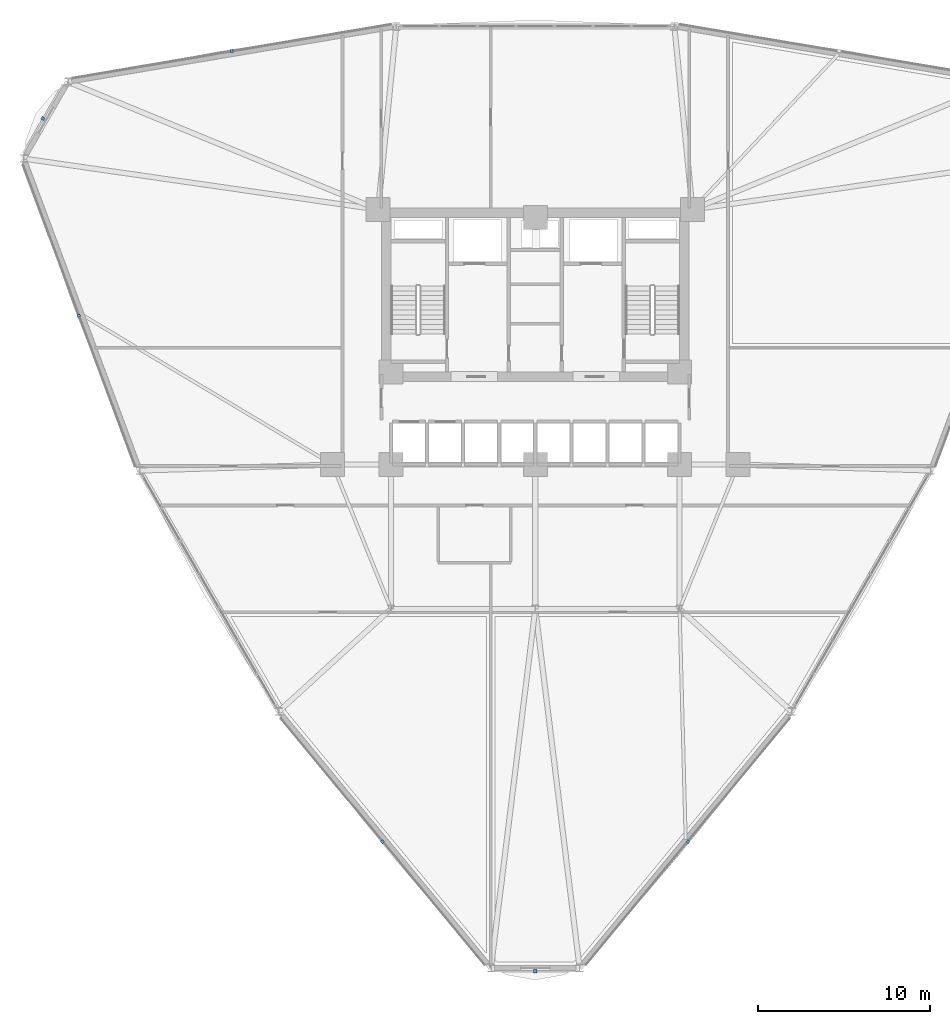
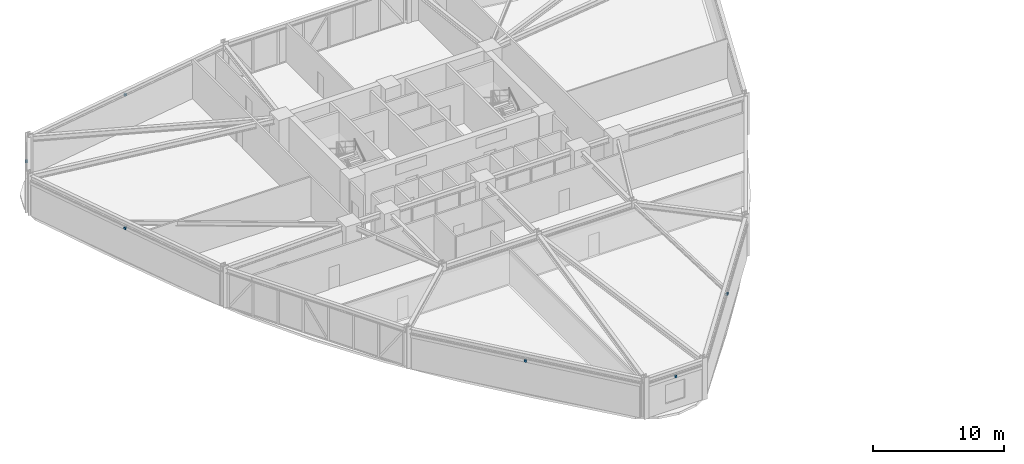
# One storey, part 19 of 23: 6 discrete accessories.
"""IFC4 building model written with IfcOpenShell, lengths in metres."""

from ifc_helpers import new_model, si_unit, derived_unit, direction, frame, origin, origin_2d, place, context, subcontext, project, spatial, rectangle, extrude, source, transform, mapped, material, type_object, element, save


model = new_model("IFC4")

# Units and contexts
model_context = context("Model", 3, precision=1e-05, world=origin(), true_north=direction((0.0, 1.0)))
body_context = subcontext(model_context, "Body", "Model", "MODEL_VIEW")
ifc_project = project(units=[si_unit("LENGTHUNIT", "METRE"), si_unit("AREAUNIT", "SQUARE_METRE"), si_unit("VOLUMEUNIT", "CUBIC_METRE"), si_unit("PLANEANGLEUNIT", "RADIAN"), si_unit("MASSUNIT", "GRAM", prefix="KILO"), derived_unit("THERMALTRANSMITTANCEUNIT", [(si_unit("POWERUNIT", "WATT"), 1), (si_unit("LENGTHUNIT", "METRE"), -2), (si_unit("THERMODYNAMICTEMPERATUREUNIT", "KELVIN"), -1)])], contexts=[model_context])

# Site, building, storey
site_placement = place(None, origin())
site = spatial("IfcSite", under=ifc_project, at=site_placement, CompositionType="ELEMENT")
building_placement = place(site_placement, origin())
building = spatial("IfcBuilding", under=site, at=building_placement, Name="Korsvarv Bourse and Concert Hall", CompositionType="ELEMENT")
storey_placement = place(building_placement, frame((0.0, 0.0, 24.0)))
storey = spatial("IfcBuildingStorey", under=building, at=storey_placement, Name="L05", CompositionType="ELEMENT", Elevation=24.0)

# Discrete accessories
ifc_material = material(Name="Stainless Steel S355 facade outrigger bracket", Category="steel")
discrete_accessory_type = type_object("IfcDiscreteAccessoryType", Name="ACC-BRK-1", PredefinedType="BRACKET", material=ifc_material)
shared_shape = source(origin(), body_context, "Body", "SweptSolid", [
    extrude(rectangle(XDim=0.179931640625, YDim=0.179931640625, at=origin_2d()), origin(), (0.0, 0.0, 1.0), 0.199951171875),
])
for number, where, z_axis, x_axis, name in (
    (1, (18.31787109375, 56.480712890625, 2.97021484375), (0.0, 0.0, 1.0), (-0.98602512869, -0.166596655404, 0.0), "L05 terracotta sunshade bracket EW-L05-B04"),
    (2, (7.337890625, 52.548095703125, 2.97021484375), (0.0, 0.0, 1.0), (-0.5, -0.866025403784, 0.0), "L05 terracotta sunshade bracket EW-L05-B05"),
    (3, (9.42236328125, 41.072998046875, 2.97021484375), (0.0, 0.0, 1.0), (0.348735628579, -0.937221137918, 0.0), "L05 terracotta sunshade bracket EW-L05-B06"),
    (4, (27.104248046875, 10.446533203125, 2.97021484375), (0.0, 0.0, 1.0), (0.637289500111, -0.770624482513, 0.0), "L05 terracotta sunshade bracket EW-L05-B08"),
    (5, (36.0, 2.90380859375, 2.97021484375), (0.0, 0.0, 1.0), (1.0, 0.0, 0.0), "L05 terracotta sunshade bracket EW-L05-B09"),
    (6, (44.895751953125, 10.446533203125, 2.97021484375), (0.0, 0.0, 1.0), (0.637289500111, 0.770624482513, 0.0), "L05 terracotta sunshade bracket EW-L05-B10"),
):
    element("IfcDiscreteAccessory", number, at=place(storey_placement, frame(where, z_axis=z_axis, x_axis=x_axis)), inside=storey, type_object=discrete_accessory_type, Name=name, PredefinedType="BRACKET", context=body_context, shape_type="MappedRepresentation", body=[
        mapped(shared_shape, transform((0.0, 0.0, 0.0), scale=1.0)),
    ])

save(model, "model.ifc")
